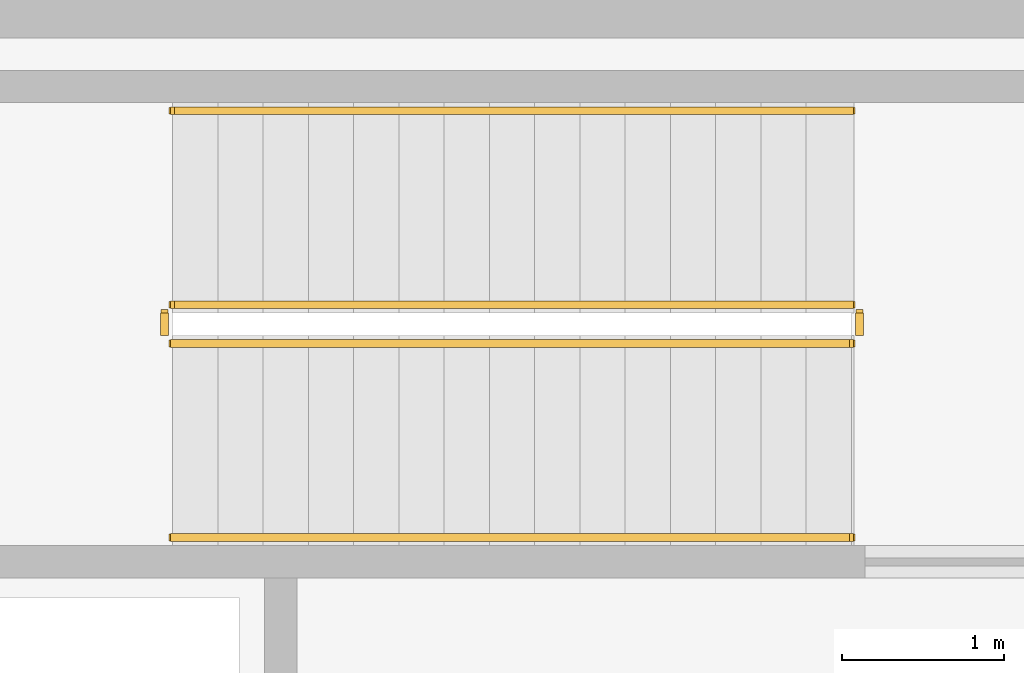
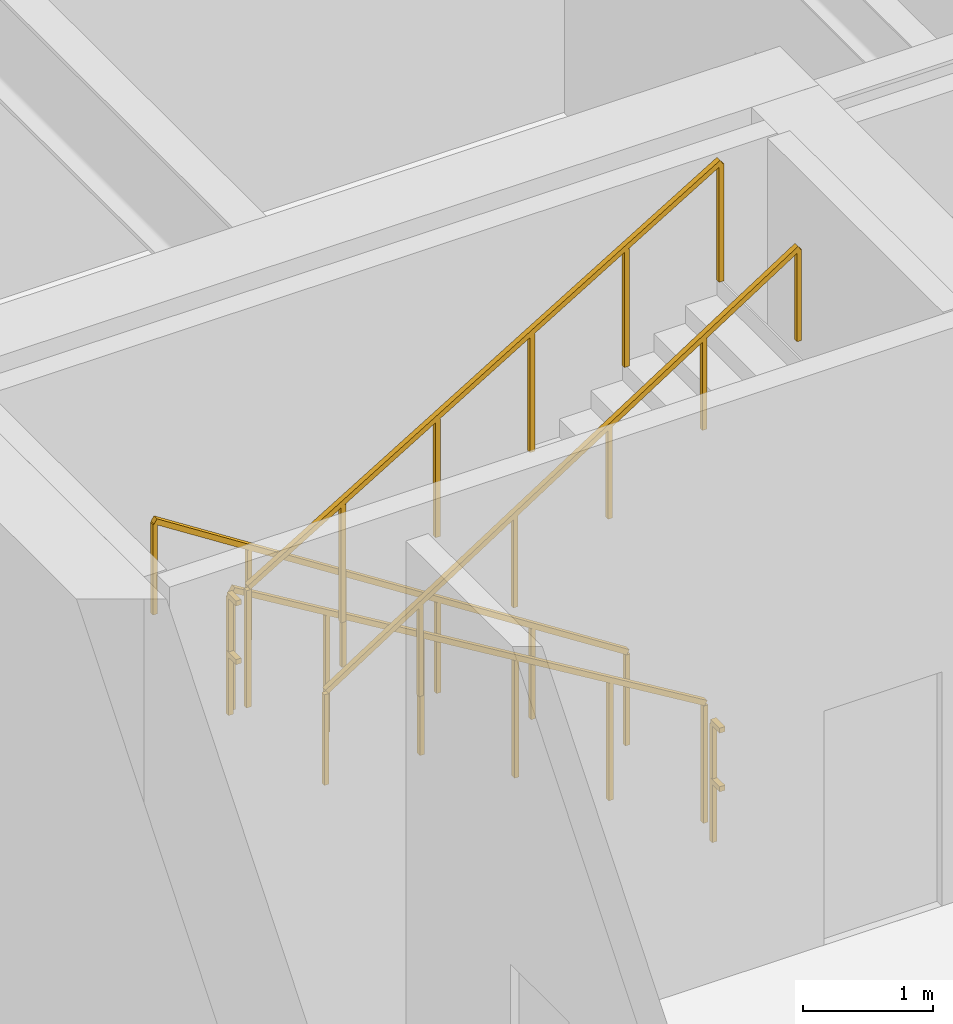
# One storey, part 22 of 23: 6 railings.
"""IFC4 building model written with IfcOpenShell, lengths in metres."""

from ifc_helpers import new_model, si_unit, derived_unit, direction, frame, origin, origin_2d, place, context, subcontext, project, spatial, rectangle, extrude, material, type_object, element, save


model = new_model("IFC4")

# Units and contexts
model_context = context("Model", 3, precision=1e-05, world=origin(), true_north=direction((0.0, 1.0)))
body_context = subcontext(model_context, "Body", "Model", "MODEL_VIEW")
ifc_project = project(units=[si_unit("LENGTHUNIT", "METRE"), si_unit("AREAUNIT", "SQUARE_METRE"), si_unit("VOLUMEUNIT", "CUBIC_METRE"), si_unit("PLANEANGLEUNIT", "RADIAN"), si_unit("MASSUNIT", "GRAM", prefix="KILO"), si_unit("THERMODYNAMICTEMPERATUREUNIT", "KELVIN"), si_unit("POWERUNIT", "WATT"), derived_unit("THERMALTRANSMITTANCEUNIT", [(si_unit("POWERUNIT", "WATT"), 1), (si_unit("AREAUNIT", "SQUARE_METRE"), -1), (si_unit("THERMODYNAMICTEMPERATUREUNIT", "KELVIN"), -1)])], contexts=[model_context])

# Site, building, storey
site_placement = place(None, origin())
site = spatial("IfcSite", under=ifc_project, at=site_placement, CompositionType="ELEMENT")
building_placement = place(site_placement, origin())
building = spatial("IfcBuilding", under=site, at=building_placement, Name="Zahravan Archway Hotel and Residences", CompositionType="ELEMENT")
storey_placement = place(building_placement, origin())
storey = spatial("IfcBuildingStorey", under=building, at=storey_placement, Name="L00", CompositionType="ELEMENT", Elevation=0.0)

# Railings
ifc_material_1 = material(Name="Painted Tubular Steel", Category="steel")
railing_type_1 = type_object("IfcRailingType", Name="RL-STG-1150", PredefinedType="GUARDRAIL", material=ifc_material_1)
railing_1_placement = place(storey_placement, frame((9.72998046875, 37.64990234375, 0.168701171875)))
element("IfcRailing", 1, at=railing_1_placement, inside=storey, type_object=railing_type_1, Name="L00 ST-B2 stair guard 1", PredefinedType="GUARDRAIL", context=body_context, shape_type="SweptSolid", body=[
    extrude(rectangle(XDim=0.048095703125, YDim=0.048095703125, at=origin_2d()), frame((0.0, 0.0, 1.1259765625), z_axis=(-0.856476492594, 0.0, 0.516186030065), x_axis=(0.0, -1.0, 0.0)), (0.0, 0.0, 1.0), 4.90380859375),
    extrude(rectangle(XDim=0.0419921875, YDim=0.0419921875, at=origin_2d()), origin(), (0.0, 0.0, 1.0), 1.101806640625),
    extrude(rectangle(XDim=0.0419921875, YDim=0.0419921875, at=origin_2d()), frame((-0.840087890625, 0.0, 0.50634765625)), (0.0, 0.0, 1.0), 1.101806640625),
    extrude(rectangle(XDim=0.0419921875, YDim=0.0419921875, at=origin_2d()), frame((-1.679931640625, 0.0, 1.012451171875)), (0.0, 0.0, 1.0), 1.101806640625),
    extrude(rectangle(XDim=0.0419921875, YDim=0.0419921875, at=origin_2d()), frame((-2.52001953125, 0.0, 1.518798828125)), (0.0, 0.0, 1.0), 1.101806640625),
    extrude(rectangle(XDim=0.0419921875, YDim=0.0419921875, at=origin_2d()), frame((-3.35986328125, 0.0, 2.02490234375)), (0.0, 0.0, 1.0), 1.101806640625),
    extrude(rectangle(XDim=0.0419921875, YDim=0.0419921875, at=origin_2d()), frame((-4.199951171875, 0.0, 2.53125)), (0.0, 0.0, 1.0), 1.101806640625),
])
railing_2_placement = place(storey_placement, frame((5.47998046875, 37.60009765625, 2.699951171875)))
element("IfcRailing", 2, at=railing_2_placement, inside=storey, type_object=railing_type_1, Name="L00 ST-B2 stair guard 2", PredefinedType="GUARDRAIL", context=body_context, shape_type="SweptSolid", body=[
    extrude(rectangle(XDim=0.048095703125, YDim=0.048095703125, at=origin_2d()), frame((0.0, 0.0, 1.1259765625), z_axis=(0.0, -1.0, 0.0), x_axis=(1.0, 0.0, 0.0)), (0.0, 0.0, 1.0), 0.14013671875),
    extrude(rectangle(XDim=0.048095703125, YDim=0.048095703125, at=origin_2d()), frame((0.0, 0.0, 0.574951171875), z_axis=(0.0, -1.0, 0.0), x_axis=(1.0, 0.0, 0.0)), (0.0, 0.0, 1.0), 0.14013671875),
    extrude(rectangle(XDim=0.0419921875, YDim=0.0419921875, at=origin_2d()), origin(), (0.0, 0.0, 1.0), 1.101806640625),
])
railing_3_placement = place(storey_placement, frame((5.530029296875, 37.409912109375, 2.86865234375)))
element("IfcRailing", 3, at=railing_3_placement, inside=storey, type_object=railing_type_1, Name="L00 ST-B2 stair guard 3", PredefinedType="GUARDRAIL", context=body_context, shape_type="SweptSolid", body=[
    extrude(rectangle(XDim=0.048095703125, YDim=0.048095703125, at=origin_2d()), frame((0.0, 0.0, 1.1259765625), z_axis=(0.856476492594, 0.0, 0.516186030065), x_axis=(0.0, 1.0, 0.0)), (0.0, 0.0, 1.0), 4.90380859375),
    extrude(rectangle(XDim=0.0419921875, YDim=0.0419921875, at=origin_2d()), origin(), (0.0, 0.0, 1.0), 1.101806640625),
    extrude(rectangle(XDim=0.0419921875, YDim=0.0419921875, at=origin_2d()), frame((0.840087890625, 0.0, 0.50634765625)), (0.0, 0.0, 1.0), 1.101806640625),
    extrude(rectangle(XDim=0.0419921875, YDim=0.0419921875, at=origin_2d()), frame((1.679931640625, 0.0, 1.012451171875)), (0.0, 0.0, 1.0), 1.101806640625),
    extrude(rectangle(XDim=0.0419921875, YDim=0.0419921875, at=origin_2d()), frame((2.52001953125, 0.0, 1.518798828125)), (0.0, 0.0, 1.0), 1.101806640625),
    extrude(rectangle(XDim=0.0419921875, YDim=0.0419921875, at=origin_2d()), frame((3.35986328125, 0.0, 2.02490234375)), (0.0, 0.0, 1.0), 1.101806640625),
    extrude(rectangle(XDim=0.0419921875, YDim=0.0419921875, at=origin_2d()), frame((4.199951171875, 0.0, 2.53125)), (0.0, 0.0, 1.0), 1.101806640625),
])
railing_4_placement = place(storey_placement, frame((9.780029296875, 37.60009765625, 0.0)))
element("IfcRailing", 4, at=railing_4_placement, inside=storey, type_object=railing_type_1, Name="L00 ST-B2 stair guard 4", PredefinedType="GUARDRAIL", context=body_context, shape_type="SweptSolid", body=[
    extrude(rectangle(XDim=0.048095703125, YDim=0.048095703125, at=origin_2d()), frame((0.0, 0.0, 1.1259765625), z_axis=(0.0, -1.0, 0.0), x_axis=(1.0, 0.0, 0.0)), (0.0, 0.0, 1.0), 0.14013671875),
    extrude(rectangle(XDim=0.048095703125, YDim=0.048095703125, at=origin_2d()), frame((0.0, 0.0, 0.574951171875), z_axis=(0.0, -1.0, 0.0), x_axis=(1.0, 0.0, 0.0)), (0.0, 0.0, 1.0), 0.14013671875),
    extrude(rectangle(XDim=0.0419921875, YDim=0.0419921875, at=origin_2d()), origin(), (0.0, 0.0, 1.0), 1.101806640625),
])
ifc_material_2 = material(Name="Brushed Stainless Steel", Category="steel")
railing_type_2 = type_object("IfcRailingType", Name="RL-STH-900", PredefinedType="HANDRAIL", material=ifc_material_2)
railing_5_placement = place(storey_placement, frame((9.72998046875, 38.85009765625, 0.168701171875)))
element("IfcRailing", 5, at=railing_5_placement, inside=storey, type_object=railing_type_2, Name="L00 ST-B2 stair handrail 1", PredefinedType="HANDRAIL", context=body_context, shape_type="SweptSolid", body=[
    extrude(rectangle(XDim=0.048095703125, YDim=0.048095703125, at=origin_2d()), frame((0.0, 0.0, 0.8759765625), z_axis=(-0.841180064094, 0.0, 0.540755119968), x_axis=(0.0, -1.0, 0.0)), (0.0, 0.0, 1.0), 4.992919921875),
    extrude(rectangle(XDim=0.0419921875, YDim=0.0419921875, at=origin_2d()), origin(), (0.0, 0.0, 1.0), 0.851806640625),
    extrude(rectangle(XDim=0.0419921875, YDim=0.0419921875, at=origin_2d()), frame((-0.840087890625, 0.0, 0.5400390625)), (0.0, 0.0, 1.0), 0.851806640625),
    extrude(rectangle(XDim=0.0419921875, YDim=0.0419921875, at=origin_2d()), frame((-1.679931640625, 0.0, 1.080078125)), (0.0, 0.0, 1.0), 0.851806640625),
    extrude(rectangle(XDim=0.0419921875, YDim=0.0419921875, at=origin_2d()), frame((-2.52001953125, 0.0, 1.619873046875)), (0.0, 0.0, 1.0), 0.851806640625),
    extrude(rectangle(XDim=0.0419921875, YDim=0.0419921875, at=origin_2d()), frame((-3.35986328125, 0.0, 2.159912109375)), (0.0, 0.0, 1.0), 0.851806640625),
    extrude(rectangle(XDim=0.0419921875, YDim=0.0419921875, at=origin_2d()), frame((-4.199951171875, 0.0, 2.699951171875)), (0.0, 0.0, 1.0), 0.851806640625),
])
railing_6_placement = place(storey_placement, frame((5.530029296875, 36.2099609375, 2.86865234375)))
element("IfcRailing", 6, at=railing_6_placement, inside=storey, type_object=railing_type_2, Name="L00 ST-B2 stair handrail 2", PredefinedType="HANDRAIL", context=body_context, shape_type="SweptSolid", body=[
    extrude(rectangle(XDim=0.048095703125, YDim=0.048095703125, at=origin_2d()), frame((0.0, 0.0, 0.8759765625), z_axis=(0.841157821942, 0.0, 0.54078971753), x_axis=(0.0, 1.0, 0.0)), (0.0, 0.0, 1.0), 4.9931640625),
    extrude(rectangle(XDim=0.0419921875, YDim=0.0419921875, at=origin_2d()), origin(), (0.0, 0.0, 1.0), 0.851806640625),
    extrude(rectangle(XDim=0.0419921875, YDim=0.0419921875, at=origin_2d()), frame((0.840087890625, 0.0, 0.5400390625)), (0.0, 0.0, 1.0), 0.851806640625),
    extrude(rectangle(XDim=0.0419921875, YDim=0.0419921875, at=origin_2d()), frame((1.679931640625, 0.0, 1.080078125)), (0.0, 0.0, 1.0), 0.851806640625),
    extrude(rectangle(XDim=0.0419921875, YDim=0.0419921875, at=origin_2d()), frame((2.52001953125, 0.0, 1.6201171875)), (0.0, 0.0, 1.0), 0.851806640625),
    extrude(rectangle(XDim=0.0419921875, YDim=0.0419921875, at=origin_2d()), frame((3.35986328125, 0.0, 2.16015625)), (0.0, 0.0, 1.0), 0.851806640625),
    extrude(rectangle(XDim=0.0419921875, YDim=0.0419921875, at=origin_2d()), frame((4.199951171875, 0.0, 2.7001953125)), (0.0, 0.0, 1.0), 0.851806640625),
])

save(model, "model.ifc")
